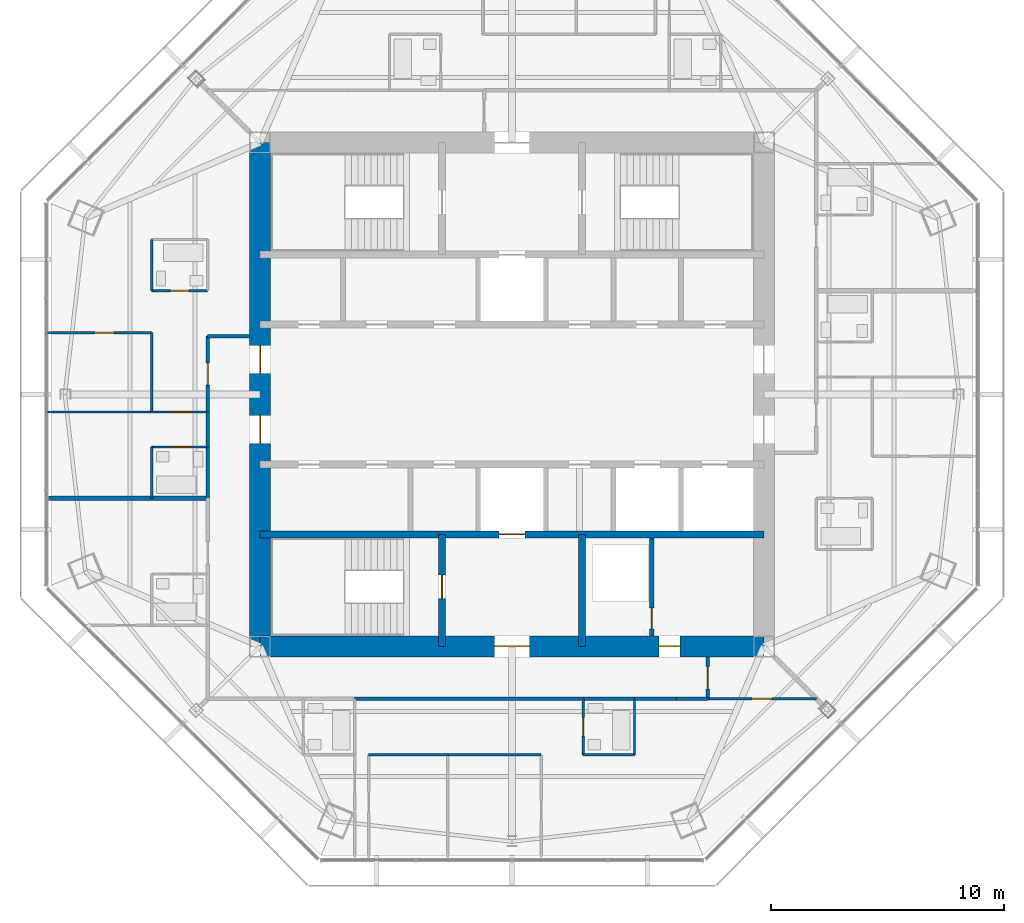
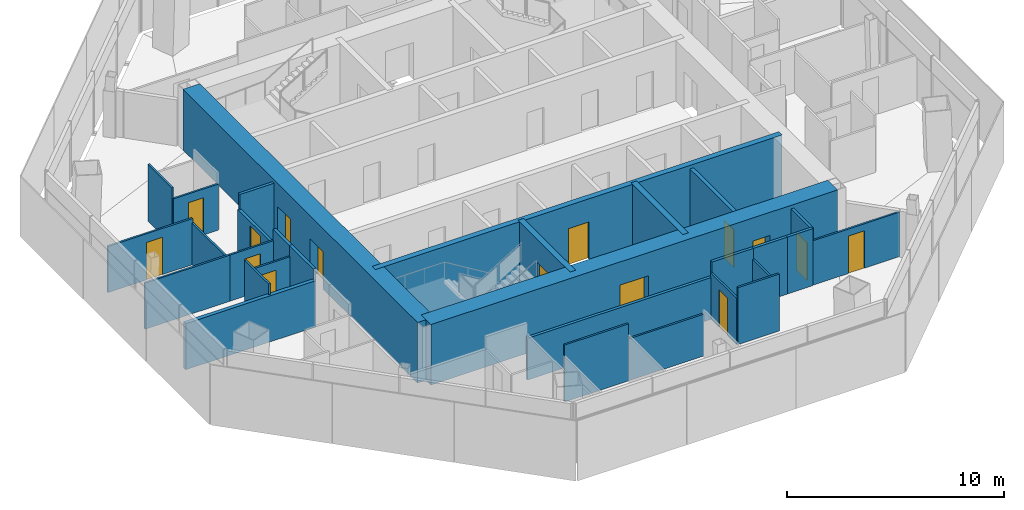
# One storey, part 9 of 14: 30 walls, 15 doors, 15 openings.
"""IFC4 building model written with IfcOpenShell, lengths in metres."""

import ifcopenshell
import ifcopenshell.guid

model = None  # the IFC model being written
_history = None  # IfcOwnerHistory: only IFC2X3 demands one
_inside = {}  # id of a spatial element -> (the spatial element, [elements in it])
_under = {}  # id of a project, library or spatial element -> (it, [spatial elements below it])
_declared = {}  # id of a project -> (the project, [libraries it declares])
_typed = {}  # id of a type object -> (the type object, [elements of that type])
_made_of = {}  # id of a material, layer set ... -> (it, [elements and type objects made of it])


def new_model(schema):
    """Start an empty IFC model of exactly this schema.

    Asked for "IFC4X3", IfcOpenShell would pick the latest addendum, in which some entities
    have other attributes; the version numbers below select the first issue.
    IFC2X3 requires an IfcOwnerHistory on every rooted entity: one is made here for all.
    """
    global model, _history
    if schema == "IFC4X3":
        model = ifcopenshell.file(schema_version=(4, 3, 0, 0))
    else:
        model = ifcopenshell.file(schema=schema)
    _inside.clear()
    _under.clear()
    _declared.clear()
    _typed.clear()
    _made_of.clear()
    _history = None
    if model.schema == "IFC2X3":
        org = make("IfcOrganization", Name="unknown")
        user = make(
            "IfcPersonAndOrganization",
            ThePerson=make("IfcPerson", FamilyName="unknown"),
            TheOrganization=org,
        )
        app = make(
            "IfcApplication",
            ApplicationDeveloper=org,
            Version="unknown",
            ApplicationFullName="unknown",
            ApplicationIdentifier="unknown",
        )
        _history = make(
            "IfcOwnerHistory",
            OwningUser=user,
            OwningApplication=app,
            ChangeAction="ADDED",
            CreationDate=0,
        )
    return model


def make(cls, **values):
    """One entity of the class cls with the attributes given. An attribute that is None is left unset."""
    return model.create_entity(
        cls, **{name: value for name, value in values.items() if value is not None}
    )


def rooted(cls, **values):
    """An entity with a GlobalId (a new one), such as an element, a storey or a relation."""
    return make(cls, GlobalId=ifcopenshell.guid.new(), OwnerHistory=_history, **values)


def si_unit(unit_type, name, prefix=None):
    """IfcSIUnit, for example si_unit("LENGTHUNIT", "METRE", prefix="MILLI")."""
    return make("IfcSIUnit", UnitType=unit_type, Prefix=prefix, Name=name)


def assignment(units):
    """IfcUnitAssignment: the units of a project."""
    return None if units is None else make("IfcUnitAssignment", Units=units)


def point(xyz):
    """IfcCartesianPoint."""
    return None if xyz is None else make("IfcCartesianPoint", Coordinates=xyz)


def direction(xyz):
    """IfcDirection."""
    return None if xyz is None else make("IfcDirection", DirectionRatios=xyz)


def frame(location, z_axis=None, x_axis=None):
    """IfcAxis2Placement3D, a coordinate frame: its origin and axes. An axis left out is left unset."""
    return make(
        "IfcAxis2Placement3D",
        Location=point(location),
        Axis=direction(z_axis),
        RefDirection=direction(x_axis),
    )


def frame_2d(location, x_axis=None):
    """IfcAxis2Placement2D, a coordinate frame in the plane: its origin and x axis."""
    return make(
        "IfcAxis2Placement2D", Location=point(location), RefDirection=direction(x_axis)
    )


def origin():
    """The frame at (0, 0, 0) with its axes left unset."""
    return frame((0.0, 0.0, 0.0))


def place(relative_to, where):
    """IfcLocalPlacement: puts the frame where relative to a parent placement (None: the world)."""
    return make(
        "IfcLocalPlacement", PlacementRelTo=relative_to, RelativePlacement=where
    )


def context(
    kind, dimensions, precision=None, world=None, true_north=None, identifier=None
):
    """IfcGeometricRepresentationContext, for example the 3D "Model" context."""
    return make(
        "IfcGeometricRepresentationContext",
        ContextIdentifier=identifier,
        ContextType=kind,
        CoordinateSpaceDimension=dimensions,
        Precision=precision,
        WorldCoordinateSystem=world,
        TrueNorth=true_north,
    )


def subcontext(parent, identifier, kind, view, scale=None):
    """IfcGeometricRepresentationSubContext, for example "Body" below "Model"."""
    return make(
        "IfcGeometricRepresentationSubContext",
        ContextIdentifier=identifier,
        ContextType=kind,
        ParentContext=parent,
        TargetScale=scale,
        TargetView=view,
    )


def project(units=None, contexts=None):
    """IfcProject with its units and contexts."""
    return rooted(
        "IfcProject",
        Name="project",
        RepresentationContexts=contexts,
        UnitsInContext=assignment(units),
    )


def spatial(cls, under=None, at=None, **own):
    """A site, building, storey or space (cls), placed at a placement, below another one or the project."""
    s = rooted(cls, ObjectPlacement=at, **own)
    if under is not None:
        _under.setdefault(under.id(), (under, []))[1].append(s)
    return s


def profile(cls, at=None, kind="AREA", **sizes):
    """A parametric profile (cls). Its sizes go by their IFC names, for example OverallWidth=200.0."""
    return make(cls, ProfileType=kind, Position=at, **sizes)


def rectangle(**sizes):
    """IfcRectangleProfileDef."""
    return profile("IfcRectangleProfileDef", **sizes)


def extrude(swept, where, along, depth):
    """IfcExtrudedAreaSolid: the profile swept, set in the frame where, extruded along a direction by depth."""
    return make(
        "IfcExtrudedAreaSolid",
        SweptArea=swept,
        Position=where,
        ExtrudedDirection=direction(along),
        Depth=depth,
    )


def shape(context_of_items, identifier, shape_type, items):
    """IfcShapeRepresentation: the items that make up one representation, for example the "Body"."""
    return make(
        "IfcShapeRepresentation",
        ContextOfItems=context_of_items,
        RepresentationIdentifier=identifier,
        RepresentationType=shape_type,
        Items=items,
    )


def material(Name=None, Category=None):
    """IfcMaterial."""
    return make("IfcMaterial", Name=Name, Category=Category)


def layer(
    of_material, thickness, ventilated=None, Name=None, Category=None, Priority=None
):
    """IfcMaterialLayer: one layer of a wall or slab, of a material (None: an air gap)."""
    return make(
        "IfcMaterialLayer",
        Material=of_material,
        LayerThickness=thickness,
        IsVentilated=ventilated,
        Name=Name,
        Category=Category,
        Priority=Priority,
    )


def layer_set(layers, Name=None):
    """IfcMaterialLayerSet."""
    return make("IfcMaterialLayerSet", MaterialLayers=layers, LayerSetName=Name)


def made_of(thing, what):
    """Note that an element or type object is made of a material, layer set ...; save() writes the relation."""
    if what is not None:
        _made_of.setdefault(what.id(), (what, []))[1].append(thing)
    return thing


def type_object(cls, material=None, **own):
    """A type object (cls), such as IfcWallType, which elements share."""
    return made_of(rooted(cls, **own), material)


def element(
    cls,
    number,
    at=None,
    inside=None,
    cuts=None,
    type_object=None,
    material=None,
    context=None,
    identifier="Body",
    shape_type=None,
    held_by="IfcProductDefinitionShape",
    body=None,
    shapes=None,
    **own,
):
    """One element of the class cls, such as IfcWall. Its Tag is "e" and its number.

    at: its placement. inside: the storey or other place that contains it. cuts: it is an
    opening in that element (IfcRelVoidsElement). A single representation is given by context,
    identifier, shape_type and body (its items); several are given by shapes. held_by: the class
    of the entity that holds the representations. save() writes the other relations.
    """
    e = rooted(cls, Tag="e%d" % number, ObjectPlacement=at, **own)
    if body is not None:
        shapes = [shape(context, identifier, shape_type, body)]
    if shapes is not None:
        e.Representation = make(held_by, Representations=shapes)
    if inside is not None:
        _inside.setdefault(inside.id(), (inside, []))[1].append(e)
    if cuts is not None:
        rooted(
            "IfcRelVoidsElement", RelatingBuildingElement=cuts, RelatedOpeningElement=e
        )
    if type_object is not None:
        _typed.setdefault(type_object.id(), (type_object, []))[1].append(e)
    return made_of(e, material)


def fill(opening, filler):
    """IfcRelFillsElement: the door or window that sits in an opening."""
    return rooted(
        "IfcRelFillsElement",
        RelatingOpeningElement=opening,
        RelatedBuildingElement=filler,
    )


def aggregate(whole, parts):
    """IfcRelAggregates: a whole, such as a stair, and the parts it consists of."""
    return rooted("IfcRelAggregates", RelatingObject=whole, RelatedObjects=parts)


def save(model, path):
    """Write the relations noted so far, then the file.

    IfcRelAggregates (storeys below a building ...), IfcRelContainedInSpatialStructure (elements
    in a storey), IfcRelDefinesByType, IfcRelAssociatesMaterial and IfcRelDeclares: one each for
    every whole, place, type object, material and project.
    """
    for whole, parts in _under.values():
        aggregate(whole, parts)
    for where, things in _inside.values():
        rooted(
            "IfcRelContainedInSpatialStructure",
            RelatedElements=things,
            RelatingStructure=where,
        )
    for kind, things in _typed.values():
        rooted("IfcRelDefinesByType", RelatedObjects=things, RelatingType=kind)
    for what, things in _made_of.values():
        rooted("IfcRelAssociatesMaterial", RelatedObjects=things, RelatingMaterial=what)
    for by, libraries in _declared.values():
        rooted("IfcRelDeclares", RelatingContext=by, RelatedDefinitions=libraries)
    model.write(path)


model = new_model("IFC4")

# Units and contexts
model_context = context("Model", 3, precision=1e-05, world=origin(), true_north=direction((0.0, 1.0)))
body_context = subcontext(model_context, "Body", "Model", "MODEL_VIEW")
ifc_project = project(units=[si_unit("LENGTHUNIT", "METRE"), si_unit("AREAUNIT", "SQUARE_METRE"), si_unit("VOLUMEUNIT", "CUBIC_METRE"), si_unit("PLANEANGLEUNIT", "RADIAN"), si_unit("MASSUNIT", "GRAM", prefix="KILO")], contexts=[model_context])

# Site, building, storey
site_placement = place(None, origin())
site = spatial("IfcSite", under=ifc_project, at=site_placement, CompositionType="ELEMENT")
building_placement = place(site_placement, origin())
building = spatial("IfcBuilding", under=site, at=building_placement, Name="Mashrafa Tower", CompositionType="ELEMENT")
storey_placement = place(building_placement, frame((0.0, 0.0, 284.39990234375)))
storey = spatial("IfcBuildingStorey", under=building, at=storey_placement, Name="L69", CompositionType="ELEMENT", Elevation=284.39990234375)

# Wall
ifc_material_1 = material(Name="Gypsum board on steel studs", Category="steel")
ifc_layer_1 = layer(ifc_material_1, 0.199951171875)
ifc_layer_set_1 = layer_set([ifc_layer_1], Name="Acoustic partition 200 1 hr")
wall_type_1 = type_object("IfcWallType", Name="Acoustic partition 200 1 hr", PredefinedType="PARTITIONING", material=ifc_layer_set_1)
wall_1_placement = place(storey_placement, frame((-13.050048828125, -4.449951171875, 0.0), z_axis=(0.0, 0.0, 1.0), x_axis=(-1.0, 0.0, 0.0)))
element("IfcWall", 1, at=wall_1_placement, inside=storey, type_object=wall_type_1, Name="Acoustic wall L69-077", PredefinedType="PARTITIONING", context=body_context, shape_type="SweptSolid", body=[
    extrude(rectangle(XDim=6.9013671875, YDim=0.199951171875, at=frame_2d((3.45068359375, 0.0))), origin(), (0.0, 0.0, 1.0), 2.590576171875),
])

# Wall, opening, door
ifc_material_2 = material(Name="Concrete masonry unit", Category="masonry")
ifc_layer_2 = layer(ifc_material_2, 0.199951171875)
ifc_layer_set_2 = layer_set([ifc_layer_2], Name="Blockwork wall 200 2 hr")
wall_type_2 = type_object("IfcWallType", Name="Blockwork wall 200 2 hr", PredefinedType="PARTITIONING", material=ifc_layer_set_2)
wall_2_placement = place(storey_placement, frame((6.0, -10.35009765625, 0.0), z_axis=(0.0, 0.0, 1.0), x_axis=(0.0, 1.0, 0.0)))
wall_2 = element("IfcWall", 2, at=wall_2_placement, inside=storey, type_object=wall_type_2, Name="Riser enclosure wall L69", PredefinedType="PARTITIONING", context=body_context, shape_type="SweptSolid", body=[
    extrude(rectangle(XDim=4.2001953125, YDim=0.199951171875, at=frame_2d((2.10009765625, 0.0))), origin(), (0.0, 0.0, 1.0), 3.2001953125),
])
opening_1_placement = place(wall_2_placement, frame((0.300048828125, 0.0, 0.0)))
opening_1 = element("IfcOpeningElement", 3, at=opening_1_placement, cuts=wall_2, Name="Opening 69.041", PredefinedType="OPENING", context=body_context, shape_type="SweptSolid", body=[
    extrude(rectangle(XDim=0.89990234375, YDim=2.10009765625, at=frame_2d((0.449951171875, 1.050048828125))), frame((0.0, 0.10986328125, 0.0), z_axis=(0.0, -1.0, 0.0), x_axis=(1.0, 0.0, 0.0)), (0.0, 0.0, 1.0), 0.219970703125),
])
ifc_material_3 = material(Name="Steel door", Category="steel")
door_type_1 = type_object("IfcDoorType", Name="Service door 900 x 2100 90 min", OperationType="USERDEFINED", PredefinedType="DOOR", material=ifc_material_3)
door_1_placement = place(opening_1_placement, origin())
door_1 = element("IfcDoor", 4, at=door_1_placement, inside=storey, type_object=door_type_1, Name="Riser door L69", OperationType="SINGLE_SWING_LEFT", OverallHeight=2.10009765625, OverallWidth=0.89990234375, PredefinedType="DOOR", context=body_context, shape_type="SweptSolid", body=[
    extrude(rectangle(XDim=0.89990234375, YDim=2.10009765625, at=frame_2d((0.449951171875, 1.050048828125))), frame((0.0, 0.02490234375, 0.0), z_axis=(0.0, -1.0, 0.0), x_axis=(1.0, 0.0, 0.0)), (0.0, 0.0, 1.0), 0.050048828125),
])
fill(opening_1, door_1)

ifc_material_4 = material(Name="Concrete C50/60", Category="concrete")
ifc_layer_3 = layer(ifc_material_4, 0.300048828125)
ifc_layer_set_3 = layer_set([ifc_layer_3], Name="Core wall 300 C50/60")
wall_type_3 = type_object("IfcWallType", Name="Core wall 300 C50/60", PredefinedType="SOLIDWALL", material=ifc_layer_set_3)
wall_3_placement = place(storey_placement, frame((-10.800048828125, -6.0, 0.0), z_axis=(0.0, 0.0, 1.0), x_axis=(1.0, 0.0, 0.0)))
wall_3 = element("IfcWall", 5, at=wall_3_placement, inside=storey, type_object=wall_type_3, Name="Core wall CB-S L69", PredefinedType="SOLIDWALL", context=body_context, shape_type="SweptSolid", body=[
    extrude(rectangle(XDim=21.60009765625, YDim=0.300048828125, at=frame_2d((10.800048828125, 0.0))), origin(), (0.0, 0.0, 1.0), 3.400146484375),
])
opening_2_placement = place(wall_3_placement, frame((10.25, 0.0, 0.0)))
opening_2 = element("IfcOpeningElement", 6, at=opening_2_placement, cuts=wall_3, Name="Opening 69.F2", PredefinedType="OPENING", context=body_context, shape_type="SweptSolid", body=[
    extrude(rectangle(XDim=1.10009765625, YDim=2.10009765625, at=frame_2d((0.550048828125, 1.050048828125))), frame((0.0, 0.159912109375, 0.0), z_axis=(0.0, -1.0, 0.0), x_axis=(1.0, 0.0, 0.0)), (0.0, 0.0, 1.0), 0.320068359375),
])
ifc_material_5 = material(Name="Steel door", Category="steel")
door_type_2 = type_object("IfcDoorType", Name="Lift landing door 1100 x 2100 90 min", OperationType="DOUBLE_DOOR_SLIDING", PredefinedType="DOOR", material=ifc_material_5)
door_2_placement = place(opening_2_placement, origin())
door_2 = element("IfcDoor", 7, at=door_2_placement, inside=storey, type_object=door_type_2, Name="Lift landing door F2 L69", OperationType="DOUBLE_DOOR_SLIDING", OverallHeight=2.10009765625, OverallWidth=1.10009765625, PredefinedType="DOOR", context=body_context, shape_type="SweptSolid", body=[
    extrude(rectangle(XDim=1.10009765625, YDim=2.10009765625, at=frame_2d((0.550048828125, 1.050048828125))), frame((0.0, 0.02490234375, 0.0), z_axis=(0.0, -1.0, 0.0), x_axis=(1.0, 0.0, 0.0)), (0.0, 0.0, 1.0), 0.050048828125),
])
fill(opening_2, door_2)

wall_4_placement = place(storey_placement, frame((-3.0, -6.0, 0.0), z_axis=(0.0, 0.0, 1.0), x_axis=(0.0, -1.0, 0.0)))
wall_4 = element("IfcWall", 8, at=wall_4_placement, inside=storey, type_object=wall_type_3, Name="Core wall CX-SW L69", PredefinedType="SOLIDWALL", context=body_context, shape_type="SweptSolid", body=[
    extrude(rectangle(XDim=4.800048828125, YDim=0.300048828125, at=frame_2d((2.39990234375, 0.0))), origin(), (0.0, 0.0, 1.0), 3.400146484375),
])
opening_3_placement = place(wall_4_placement, frame((1.75, 0.0, 0.0)))
opening_3 = element("IfcOpeningElement", 9, at=opening_3_placement, cuts=wall_4, Name="Opening 69.039", PredefinedType="OPENING", context=body_context, shape_type="SweptSolid", body=[
    extrude(rectangle(XDim=1.0, YDim=2.10009765625, at=frame_2d((0.5, 1.050048828125))), frame((0.0, 0.159912109375, 0.0), z_axis=(0.0, -1.0, 0.0), x_axis=(1.0, 0.0, 0.0)), (0.0, 0.0, 1.0), 0.320068359375),
])
ifc_material_6 = material(Name="Steel door", Category="steel")
door_type_3 = type_object("IfcDoorType", Name="Stair door 1000 x 2100 90 min", OperationType="USERDEFINED", PredefinedType="DOOR", material=ifc_material_6)
door_3_placement = place(opening_3_placement, frame((1.0, 0.0, 0.0), z_axis=(0.0, 0.0, 1.0), x_axis=(-1.0, 0.0, 0.0)))
door_3 = element("IfcDoor", 10, at=door_3_placement, inside=storey, type_object=door_type_3, Name="Stair S3 door L69", OperationType="SINGLE_SWING_RIGHT", OverallHeight=2.10009765625, OverallWidth=1.0, PredefinedType="DOOR", context=body_context, shape_type="SweptSolid", body=[
    extrude(rectangle(XDim=1.0, YDim=2.10009765625, at=frame_2d((0.5, 1.050048828125))), frame((0.0, 0.02490234375, 0.0), z_axis=(0.0, -1.0, 0.0), x_axis=(1.0, 0.0, 0.0)), (0.0, 0.0, 1.0), 0.050048828125),
])
fill(opening_3, door_3)

# Wall
wall_5_placement = place(storey_placement, frame((3.0, -6.0, 0.0), z_axis=(0.0, 0.0, 1.0), x_axis=(0.0, -1.0, 0.0)))
element("IfcWall", 11, at=wall_5_placement, inside=storey, type_object=wall_type_3, Name="Core wall CX-SE L69", PredefinedType="SOLIDWALL", context=body_context, shape_type="SweptSolid", body=[
    extrude(rectangle(XDim=4.800048828125, YDim=0.300048828125, at=frame_2d((2.39990234375, 0.0))), origin(), (0.0, 0.0, 1.0), 3.400146484375),
])

# Wall, openings, doors
ifc_material_7 = material(Name="Concrete C50/60", Category="concrete")
ifc_layer_4 = layer(ifc_material_7, 0.89990234375)
ifc_layer_set_4 = layer_set([ifc_layer_4], Name="Core wall 900 C50/60")
wall_type_4 = type_object("IfcWallType", Name="Core wall 900 C50/60", PredefinedType="SOLIDWALL", material=ifc_layer_set_4)
wall_6_placement = place(storey_placement, frame((-10.800048828125, -10.800048828125, 0.0), z_axis=(0.0, 0.0, 1.0), x_axis=(1.0, 0.0, 0.0)))
wall_6 = element("IfcWall", 12, at=wall_6_placement, inside=storey, type_object=wall_type_4, Name="Core wall CW-S L69", PredefinedType="SOLIDWALL", context=body_context, shape_type="SweptSolid", body=[
    extrude(rectangle(XDim=21.60009765625, YDim=0.89990234375, at=frame_2d((10.800048828125, 0.0))), origin(), (0.0, 0.0, 1.0), 3.400146484375),
])
opening_4_placement = place(wall_6_placement, frame((10.050048828125, 0.0, 0.0)))
opening_4 = element("IfcOpeningElement", 13, at=opening_4_placement, cuts=wall_6, Name="Opening 69.036", PredefinedType="OPENING", context=body_context, shape_type="SweptSolid", body=[
    extrude(rectangle(XDim=1.5, YDim=2.10009765625, at=frame_2d((0.75, 1.050048828125))), frame((0.0, 0.4599609375, 0.0), z_axis=(0.0, -1.0, 0.0), x_axis=(1.0, 0.0, 0.0)), (0.0, 0.0, 1.0), 0.919921875),
])
opening_5_placement = place(wall_6_placement, frame((17.10009765625, 0.0, 0.0)))
opening_5 = element("IfcOpeningElement", 14, at=opening_5_placement, cuts=wall_6, Name="Opening 69.040", PredefinedType="OPENING", context=body_context, shape_type="SweptSolid", body=[
    extrude(rectangle(XDim=0.89990234375, YDim=2.10009765625, at=frame_2d((0.449951171875, 1.050048828125))), frame((0.0, 0.4599609375, 0.0), z_axis=(0.0, -1.0, 0.0), x_axis=(1.0, 0.0, 0.0)), (0.0, 0.0, 1.0), 0.919921875),
])
ifc_material_8 = material(Name="Steel door", Category="steel")
door_type_4 = type_object("IfcDoorType", Name="Lobby door pair 1500 x 2100 90 min", OperationType="DOUBLE_DOOR_SINGLE_SWING", PredefinedType="DOOR", material=ifc_material_8)
door_4_placement = place(opening_4_placement, origin())
door_4 = element("IfcDoor", 15, at=door_4_placement, inside=storey, type_object=door_type_4, Name="Fire-fighting lobby F2 door L69", OperationType="DOUBLE_DOOR_SINGLE_SWING", OverallHeight=2.10009765625, OverallWidth=1.5, PredefinedType="DOOR", context=body_context, shape_type="SweptSolid", body=[
    extrude(rectangle(XDim=1.5, YDim=2.10009765625, at=frame_2d((0.75, 1.050048828125))), frame((0.0, 0.02490234375, 0.0), z_axis=(0.0, -1.0, 0.0), x_axis=(1.0, 0.0, 0.0)), (0.0, 0.0, 1.0), 0.050048828125),
])
fill(opening_4, door_4)
door_5_placement = place(opening_5_placement, origin())
door_5 = element("IfcDoor", 16, at=door_5_placement, inside=storey, type_object=door_type_1, Name="Electrical Room L69 door", OperationType="SINGLE_SWING_LEFT", OverallHeight=2.10009765625, OverallWidth=0.89990234375, PredefinedType="DOOR", context=body_context, shape_type="SweptSolid", body=[
    extrude(rectangle(XDim=0.89990234375, YDim=2.10009765625, at=frame_2d((0.449951171875, 1.050048828125))), frame((0.0, 0.02490234375, 0.0), z_axis=(0.0, -1.0, 0.0), x_axis=(1.0, 0.0, 0.0)), (0.0, 0.0, 1.0), 0.050048828125),
])
fill(opening_5, door_5)

wall_7_placement = place(storey_placement, frame((-10.800048828125, 10.800048828125, 0.0), z_axis=(0.0, 0.0, 1.0), x_axis=(0.0, -1.0, 0.0)))
wall_7 = element("IfcWall", 17, at=wall_7_placement, inside=storey, type_object=wall_type_4, Name="Core wall CW-W L69", PredefinedType="SOLIDWALL", context=body_context, shape_type="SweptSolid", body=[
    extrude(rectangle(XDim=21.60009765625, YDim=0.89990234375, at=frame_2d((10.800048828125, 0.0))), origin(), (0.0, 0.0, 1.0), 3.400146484375),
])
opening_6_placement = place(wall_7_placement, frame((8.699951171875, 0.0, 0.0)))
opening_6 = element("IfcOpeningElement", 18, at=opening_6_placement, cuts=wall_7, Name="Opening 69.032", PredefinedType="OPENING", context=body_context, shape_type="SweptSolid", body=[
    extrude(rectangle(XDim=1.199951171875, YDim=2.10009765625, at=frame_2d((0.60009765625, 1.050048828125))), frame((0.0, 0.4599609375, 0.0), z_axis=(0.0, -1.0, 0.0), x_axis=(1.0, 0.0, 0.0)), (0.0, 0.0, 1.0), 0.919921875),
])
opening_7_placement = place(wall_7_placement, frame((11.699951171875, 0.0, 0.0)))
opening_7 = element("IfcOpeningElement", 19, at=opening_7_placement, cuts=wall_7, Name="Opening 69.034", PredefinedType="OPENING", context=body_context, shape_type="SweptSolid", body=[
    extrude(rectangle(XDim=1.199951171875, YDim=2.10009765625, at=frame_2d((0.60009765625, 1.050048828125))), frame((0.0, 0.4599609375, 0.0), z_axis=(0.0, -1.0, 0.0), x_axis=(1.0, 0.0, 0.0)), (0.0, 0.0, 1.0), 0.919921875),
])
ifc_material_9 = material(Name="Steel door", Category="steel")
door_type_5 = type_object("IfcDoorType", Name="Lift hall door 1200 x 2100 90 min", OperationType="USERDEFINED", PredefinedType="DOOR", material=ifc_material_9)
door_6_placement = place(opening_6_placement, frame((1.199951171875, 0.0, 0.0), z_axis=(0.0, 0.0, 1.0), x_axis=(-1.0, 0.0, 0.0)))
door_6 = element("IfcDoor", 20, at=door_6_placement, inside=storey, type_object=door_type_5, Name="Lift hall door west L69", OperationType="SINGLE_SWING_RIGHT", OverallHeight=2.10009765625, OverallWidth=1.199951171875, PredefinedType="DOOR", context=body_context, shape_type="SweptSolid", body=[
    extrude(rectangle(XDim=1.199951171875, YDim=2.10009765625, at=frame_2d((0.60009765625, 1.050048828125))), frame((0.0, 0.02490234375, 0.0), z_axis=(0.0, -1.0, 0.0), x_axis=(1.0, 0.0, 0.0)), (0.0, 0.0, 1.0), 0.050048828125),
])
fill(opening_6, door_6)
door_7_placement = place(opening_7_placement, frame((1.199951171875, 0.0, 0.0), z_axis=(0.0, 0.0, 1.0), x_axis=(-1.0, 0.0, 0.0)))
door_7 = element("IfcDoor", 21, at=door_7_placement, inside=storey, type_object=door_type_5, Name="Lift hall door west L69", OperationType="SINGLE_SWING_RIGHT", OverallHeight=2.10009765625, OverallWidth=1.199951171875, PredefinedType="DOOR", context=body_context, shape_type="SweptSolid", body=[
    extrude(rectangle(XDim=1.199951171875, YDim=2.10009765625, at=frame_2d((0.60009765625, 1.050048828125))), frame((0.0, 0.02490234375, 0.0), z_axis=(0.0, -1.0, 0.0), x_axis=(1.0, 0.0, 0.0)), (0.0, 0.0, 1.0), 0.050048828125),
])
fill(opening_7, door_7)

# Walls
ifc_material_10 = material(Name="Gypsum board on steel studs", Category="steel")
ifc_layer_5 = layer(ifc_material_10, 0.14990234375)
ifc_layer_set_5 = layer_set([ifc_layer_5], Name="Corridor partition 150 1 hr")
wall_type_5 = type_object("IfcWallType", Name="Corridor partition 150 1 hr", PredefinedType="PARTITIONING", material=ifc_layer_set_5)
wall_8_placement = place(storey_placement, frame((-13.050048828125, -2.2490234375, 0.0), z_axis=(0.0, 0.0, 1.0), x_axis=(0.0, -1.0, 0.0)))
element("IfcWall", 22, at=wall_8_placement, inside=storey, type_object=wall_type_5, Name="Corridor wall L69-013", PredefinedType="PARTITIONING", context=body_context, shape_type="SweptSolid", body=[
    extrude(rectangle(XDim=2.201904296875, YDim=0.14990234375, at=frame_2d((1.10107421875, 0.0))), origin(), (0.0, 0.0, 1.0), 3.2001953125),
])
wall_9_placement = place(storey_placement, frame((-13.050048828125, -0.7490234375, 0.0), z_axis=(0.0, 0.0, 1.0), x_axis=(0.0, -1.0, 0.0)))
element("IfcWall", 23, at=wall_9_placement, inside=storey, type_object=wall_type_5, Name="Corridor wall L69-014", PredefinedType="PARTITIONING", context=body_context, shape_type="SweptSolid", body=[
    extrude(rectangle(XDim=1.501953125, YDim=0.14990234375, at=frame_2d((0.7509765625, 0.0))), origin(), (0.0, 0.0, 1.0), 3.2001953125),
])
wall_10_placement = place(storey_placement, frame((-11.25, 2.5, 0.0), z_axis=(0.0, 0.0, 1.0), x_axis=(-1.0, 0.0, 0.0)))
element("IfcWall", 24, at=wall_10_placement, inside=storey, type_object=wall_type_5, Name="Corridor wall L69-015", PredefinedType="PARTITIONING", context=body_context, shape_type="SweptSolid", body=[
    extrude(rectangle(XDim=1.800048828125, YDim=0.14990234375, at=frame_2d((0.89990234375, 0.0))), origin(), (0.0, 0.0, 1.0), 3.2001953125),
])

# Wall, opening, door
wall_11_placement = place(storey_placement, frame((-13.050048828125, 2.5, 0.0), z_axis=(0.0, 0.0, 1.0), x_axis=(0.0, -1.0, 0.0)))
wall_11 = element("IfcWall", 25, at=wall_11_placement, inside=storey, type_object=wall_type_5, Name="Corridor wall L69-016", PredefinedType="PARTITIONING", context=body_context, shape_type="SweptSolid", body=[
    extrude(rectangle(XDim=3.2509765625, YDim=0.14990234375, at=frame_2d((1.62548828125, 0.0))), origin(), (0.0, 0.0, 1.0), 2.349365234375),
])
opening_8_placement = place(wall_11_placement, frame((1.150390625, 0.0, 0.0)))
opening_8 = element("IfcOpeningElement", 26, at=opening_8_placement, cuts=wall_11, Name="Opening 69.020", PredefinedType="OPENING", context=body_context, shape_type="SweptSolid", body=[
    extrude(rectangle(XDim=0.949951171875, YDim=2.10009765625, at=frame_2d((0.47509765625, 1.050048828125))), frame((0.0, 0.0849609375, 0.0), z_axis=(0.0, -1.0, 0.0), x_axis=(1.0, 0.0, 0.0)), (0.0, 0.0, 1.0), 0.169921875),
])
ifc_material_11 = material(Name="Steel door", Category="steel")
door_type_6 = type_object("IfcDoorType", Name="Residence entrance door 950 x 2100 20 min", OperationType="USERDEFINED", PredefinedType="DOOR", material=ifc_material_11)
door_8_placement = place(opening_8_placement, frame((0.949951171875, 0.0, 0.0), z_axis=(0.0, 0.0, 1.0), x_axis=(-1.0, 0.0, 0.0)))
door_8 = element("IfcDoor", 27, at=door_8_placement, inside=storey, type_object=door_type_6, Name="Apartment 6904 Living Room door", OperationType="SINGLE_SWING_LEFT", OverallHeight=2.10009765625, OverallWidth=0.949951171875, PredefinedType="DOOR", context=body_context, shape_type="SweptSolid", body=[
    extrude(rectangle(XDim=0.949951171875, YDim=2.10009765625, at=frame_2d((0.47509765625, 1.050048828125))), frame((0.0, 0.02490234375, 0.0), z_axis=(0.0, -1.0, 0.0), x_axis=(1.0, 0.0, 0.0)), (0.0, 0.0, 1.0), 0.050048828125),
])
fill(opening_8, door_8)

# Walls
wall_12_placement = place(storey_placement, frame((5.2490234375, -13.050048828125, 0.0), z_axis=(0.0, 0.0, 1.0), x_axis=(1.0, 0.0, 0.0)))
element("IfcWall", 28, at=wall_12_placement, inside=storey, type_object=wall_type_5, Name="Corridor wall L69-021", PredefinedType="PARTITIONING", context=body_context, shape_type="SweptSolid", body=[
    extrude(rectangle(XDim=1.802001953125, YDim=0.14990234375, at=frame_2d((0.90087890625, 0.0))), origin(), (0.0, 0.0, 1.0), 3.2001953125),
])
wall_13_placement = place(storey_placement, frame((3.049072265625, -13.050048828125, 0.0), z_axis=(0.0, 0.0, 1.0), x_axis=(1.0, 0.0, 0.0)))
element("IfcWall", 29, at=wall_13_placement, inside=storey, type_object=wall_type_5, Name="Corridor wall L69-022", PredefinedType="PARTITIONING", context=body_context, shape_type="SweptSolid", body=[
    extrude(rectangle(XDim=2.201904296875, YDim=0.14990234375, at=frame_2d((1.10107421875, 0.0))), origin(), (0.0, 0.0, 1.0), 3.2001953125),
])
wall_14_placement = place(storey_placement, frame((-6.7509765625, -13.050048828125, 0.0), z_axis=(0.0, 0.0, 1.0), x_axis=(1.0, 0.0, 0.0)))
element("IfcWall", 30, at=wall_14_placement, inside=storey, type_object=wall_type_5, Name="Corridor wall L69-025", PredefinedType="PARTITIONING", context=body_context, shape_type="SweptSolid", body=[
    extrude(rectangle(XDim=9.802001953125, YDim=0.14990234375, at=frame_2d((4.90087890625, 0.0))), origin(), (0.0, 0.0, 1.0), 2.349365234375),
])
wall_15_placement = place(storey_placement, frame((7.049072265625, -13.050048828125, 0.0), z_axis=(0.0, 0.0, 1.0), x_axis=(1.0, 0.0, 0.0)))
element("IfcWall", 31, at=wall_15_placement, inside=storey, type_object=wall_type_5, Name="Corridor wall L69-026", PredefinedType="PARTITIONING", context=body_context, shape_type="SweptSolid", body=[
    extrude(rectangle(XDim=1.350830078125, YDim=0.14990234375, at=frame_2d((0.67529296875, 0.0))), origin(), (0.0, 0.0, 1.0), 3.2001953125),
])

# Wall, opening, door
wall_16_placement = place(storey_placement, frame((8.39990234375, -13.050048828125, 0.0), z_axis=(0.0, 0.0, 1.0), x_axis=(0.0, 1.0, 0.0)))
wall_16 = element("IfcWall", 32, at=wall_16_placement, inside=storey, type_object=wall_type_5, Name="Corridor wall L69-027", PredefinedType="PARTITIONING", context=body_context, shape_type="SweptSolid", body=[
    extrude(rectangle(XDim=1.800048828125, YDim=0.14990234375, at=frame_2d((0.89990234375, 0.0))), origin(), (0.0, 0.0, 1.0), 3.2001953125),
])
opening_9_placement = place(wall_16_placement, frame((0.425048828125, 0.0, 0.0)))
opening_9 = element("IfcOpeningElement", 33, at=opening_9_placement, cuts=wall_16, Name="Opening 69.029", PredefinedType="OPENING", context=body_context, shape_type="SweptSolid", body=[
    extrude(rectangle(XDim=0.949951171875, YDim=2.10009765625, at=frame_2d((0.47509765625, 1.050048828125))), frame((0.0, 0.0849609375, 0.0), z_axis=(0.0, -1.0, 0.0), x_axis=(1.0, 0.0, 0.0)), (0.0, 0.0, 1.0), 0.169921875),
])
door_9_placement = place(opening_9_placement, origin())
door_9 = element("IfcDoor", 34, at=door_9_placement, inside=storey, type_object=door_type_6, Name="Apartment 6906 Entrance Hall door", OperationType="SINGLE_SWING_LEFT", OverallHeight=2.10009765625, OverallWidth=0.949951171875, PredefinedType="DOOR", context=body_context, shape_type="SweptSolid", body=[
    extrude(rectangle(XDim=0.949951171875, YDim=2.10009765625, at=frame_2d((0.47509765625, 1.050048828125))), frame((0.0, 0.02490234375, 0.0), z_axis=(0.0, -1.0, 0.0), x_axis=(1.0, 0.0, 0.0)), (0.0, 0.0, 1.0), 0.050048828125),
])
fill(opening_9, door_9)

# Walls
ifc_material_12 = material(Name="Gypsum board on steel studs", Category="steel")
ifc_layer_6 = layer(ifc_material_12, 0.10009765625)
ifc_layer_set_6 = layer_set([ifc_layer_6], Name="Partition 100")
wall_type_6 = type_object("IfcWallType", Name="Partition 100", PredefinedType="PARTITIONING", material=ifc_layer_set_6)
wall_17_placement = place(storey_placement, frame((-2.75, -15.449951171875, 0.0), z_axis=(0.0, 0.0, 1.0), x_axis=(-1.0, 0.0, 0.0)))
element("IfcWall", 35, at=wall_17_placement, inside=storey, type_object=wall_type_6, Name="Partition wall L69-032", PredefinedType="PARTITIONING", context=body_context, shape_type="SweptSolid", body=[
    extrude(rectangle(XDim=3.39990234375, YDim=0.10009765625, at=frame_2d((1.699951171875, 0.0))), origin(), (0.0, 0.0, 1.0), 3.2001953125),
])
wall_18_placement = place(storey_placement, frame((-15.449951171875, 6.64990234375, 0.0), z_axis=(0.0, 0.0, 1.0), x_axis=(0.0, -1.0, 0.0)))
element("IfcWall", 36, at=wall_18_placement, inside=storey, type_object=wall_type_6, Name="Partition wall L69-069", PredefinedType="PARTITIONING", context=body_context, shape_type="SweptSolid", body=[
    extrude(rectangle(XDim=2.199951171875, YDim=0.10009765625, at=frame_2d((1.10009765625, 0.0))), origin(), (0.0, 0.0, 1.0), 3.2001953125),
])

# Wall, opening, door
wall_19_placement = place(storey_placement, frame((-15.449951171875, 4.449951171875, 0.0), z_axis=(0.0, 0.0, 1.0), x_axis=(1.0, 0.0, 0.0)))
wall_19 = element("IfcWall", 37, at=wall_19_placement, inside=storey, type_object=wall_type_6, Name="Partition wall L69-070", PredefinedType="PARTITIONING", context=body_context, shape_type="SweptSolid", body=[
    extrude(rectangle(XDim=2.39990234375, YDim=0.10009765625, at=frame_2d((1.199951171875, 0.0))), origin(), (0.0, 0.0, 1.0), 2.590576171875),
])
opening_10_placement = place(wall_19_placement, frame((0.800048828125, 0.0, 0.0)))
opening_10 = element("IfcOpeningElement", 38, at=opening_10_placement, cuts=wall_19, Name="Opening 69.016", PredefinedType="OPENING", context=body_context, shape_type="SweptSolid", body=[
    extrude(rectangle(XDim=0.800048828125, YDim=2.10009765625, at=frame_2d((0.39990234375, 1.050048828125))), frame((0.0, 0.06005859375, 0.0), z_axis=(0.0, -1.0, 0.0), x_axis=(1.0, 0.0, 0.0)), (0.0, 0.0, 1.0), 0.1201171875),
])
ifc_material_13 = material(Name="Timber door", Category="wood")
door_type_7 = type_object("IfcDoorType", Name="Bathroom door 800 x 2100", OperationType="USERDEFINED", PredefinedType="DOOR", material=ifc_material_13)
door_10_placement = place(opening_10_placement, origin())
door_10 = element("IfcDoor", 39, at=door_10_placement, inside=storey, type_object=door_type_7, Name="Apartment 6904 Bathroom door", OperationType="SINGLE_SWING_RIGHT", OverallHeight=2.10009765625, OverallWidth=0.800048828125, PredefinedType="DOOR", context=body_context, shape_type="SweptSolid", body=[
    extrude(rectangle(XDim=0.800048828125, YDim=2.10009765625, at=frame_2d((0.39990234375, 1.050048828125))), frame((0.0, 0.02490234375, 0.0), z_axis=(0.0, -1.0, 0.0), x_axis=(1.0, 0.0, 0.0)), (0.0, 0.0, 1.0), 0.050048828125),
])
fill(opening_10, door_10)

# Walls
wall_20_placement = place(storey_placement, frame((-19.951416015625, -0.75, 0.0), z_axis=(0.0, 0.0, 1.0), x_axis=(1.0, 0.0, 0.0)))
element("IfcWall", 40, at=wall_20_placement, inside=storey, type_object=wall_type_6, Name="Partition wall L69-072", PredefinedType="PARTITIONING", context=body_context, shape_type="SweptSolid", body=[
    extrude(rectangle(XDim=4.50146484375, YDim=0.10009765625, at=frame_2d((2.250732421875, 0.0))), origin(), (0.0, 0.0, 1.0), 2.590576171875),
])
wall_21_placement = place(storey_placement, frame((-15.449951171875, -0.75, 0.0), z_axis=(0.0, 0.0, 1.0), x_axis=(0.0, 1.0, 0.0)))
element("IfcWall", 41, at=wall_21_placement, inside=storey, type_object=wall_type_6, Name="Partition wall L69-073", PredefinedType="PARTITIONING", context=body_context, shape_type="SweptSolid", body=[
    extrude(rectangle(XDim=3.39990234375, YDim=0.10009765625, at=frame_2d((1.699951171875, 0.0))), origin(), (0.0, 0.0, 1.0), 2.349365234375),
])

# Wall, opening, door
wall_22_placement = place(storey_placement, frame((-15.449951171875, 2.64990234375, 0.0), z_axis=(0.0, 0.0, 1.0), x_axis=(-1.0, 0.0, 0.0)))
wall_22 = element("IfcWall", 42, at=wall_22_placement, inside=storey, type_object=wall_type_6, Name="Partition wall L69-074", PredefinedType="PARTITIONING", context=body_context, shape_type="SweptSolid", body=[
    extrude(rectangle(XDim=4.50341796875, YDim=0.10009765625, at=frame_2d((2.251708984375, 0.0))), origin(), (0.0, 0.0, 1.0), 2.590576171875),
])
opening_11_placement = place(wall_22_placement, frame((1.609619140625, 0.0, 0.0)))
opening_11 = element("IfcOpeningElement", 43, at=opening_11_placement, cuts=wall_22, Name="Opening 69.017", PredefinedType="OPENING", context=body_context, shape_type="SweptSolid", body=[
    extrude(rectangle(XDim=0.85009765625, YDim=2.10009765625, at=frame_2d((0.425048828125, 1.050048828125))), frame((0.0, 0.06005859375, 0.0), z_axis=(0.0, -1.0, 0.0), x_axis=(1.0, 0.0, 0.0)), (0.0, 0.0, 1.0), 0.1201171875),
])
ifc_material_14 = material(Name="Timber door", Category="wood")
door_type_8 = type_object("IfcDoorType", Name="Bedroom door 850 x 2100", OperationType="USERDEFINED", PredefinedType="DOOR", material=ifc_material_14)
door_11_placement = place(opening_11_placement, origin())
door_11 = element("IfcDoor", 44, at=door_11_placement, inside=storey, type_object=door_type_8, Name="Apartment 6904 Bedroom 1 door", OperationType="SINGLE_SWING_LEFT", OverallHeight=2.10009765625, OverallWidth=0.85009765625, PredefinedType="DOOR", context=body_context, shape_type="SweptSolid", body=[
    extrude(rectangle(XDim=0.85009765625, YDim=2.10009765625, at=frame_2d((0.425048828125, 1.050048828125))), frame((0.0, 0.02490234375, 0.0), z_axis=(0.0, -1.0, 0.0), x_axis=(1.0, 0.0, 0.0)), (0.0, 0.0, 1.0), 0.050048828125),
])
fill(opening_11, door_11)

wall_23_placement = place(storey_placement, frame((-13.050048828125, -2.25, 0.0), z_axis=(0.0, 0.0, 1.0), x_axis=(-1.0, 0.0, 0.0)))
wall_23 = element("IfcWall", 45, at=wall_23_placement, inside=storey, type_object=wall_type_6, Name="Partition wall L69-075", PredefinedType="PARTITIONING", context=body_context, shape_type="SweptSolid", body=[
    extrude(rectangle(XDim=2.39990234375, YDim=0.10009765625, at=frame_2d((1.199951171875, 0.0))), origin(), (0.0, 0.0, 1.0), 2.590576171875),
])
opening_12_placement = place(wall_23_placement, frame((0.800048828125, 0.0, 0.0)))
opening_12 = element("IfcOpeningElement", 46, at=opening_12_placement, cuts=wall_23, Name="Opening 69.018", PredefinedType="OPENING", context=body_context, shape_type="SweptSolid", body=[
    extrude(rectangle(XDim=0.800048828125, YDim=2.10009765625, at=frame_2d((0.39990234375, 1.050048828125))), frame((0.0, 0.06005859375, 0.0), z_axis=(0.0, -1.0, 0.0), x_axis=(1.0, 0.0, 0.0)), (0.0, 0.0, 1.0), 0.1201171875),
])
door_12_placement = place(opening_12_placement, origin())
door_12 = element("IfcDoor", 47, at=door_12_placement, inside=storey, type_object=door_type_7, Name="Apartment 6904 En-suite Bathroom door", OperationType="SINGLE_SWING_RIGHT", OverallHeight=2.10009765625, OverallWidth=0.800048828125, PredefinedType="DOOR", context=body_context, shape_type="SweptSolid", body=[
    extrude(rectangle(XDim=0.800048828125, YDim=2.10009765625, at=frame_2d((0.39990234375, 1.050048828125))), frame((0.0, 0.02490234375, 0.0), z_axis=(0.0, -1.0, 0.0), x_axis=(1.0, 0.0, 0.0)), (0.0, 0.0, 1.0), 0.050048828125),
])
fill(opening_12, door_12)

# Wall
wall_24_placement = place(storey_placement, frame((-15.449951171875, -2.25, 0.0), z_axis=(0.0, 0.0, 1.0), x_axis=(0.0, -1.0, 0.0)))
element("IfcWall", 48, at=wall_24_placement, inside=storey, type_object=wall_type_6, Name="Partition wall L69-076", PredefinedType="PARTITIONING", context=body_context, shape_type="SweptSolid", body=[
    extrude(rectangle(XDim=2.199951171875, YDim=0.10009765625, at=frame_2d((1.10009765625, 0.0))), origin(), (0.0, 0.0, 1.0), 3.2001953125),
])

# Wall, opening, door
wall_25_placement = place(storey_placement, frame((-13.050048828125, -0.75, 0.0), z_axis=(0.0, 0.0, 1.0), x_axis=(-1.0, 0.0, 0.0)))
wall_25 = element("IfcWall", 49, at=wall_25_placement, inside=storey, type_object=wall_type_6, Name="Partition wall L69-078", PredefinedType="PARTITIONING", context=body_context, shape_type="SweptSolid", body=[
    extrude(rectangle(XDim=2.40087890625, YDim=0.10009765625, at=frame_2d((1.200439453125, 0.0))), origin(), (0.0, 0.0, 1.0), 2.590576171875),
])
opening_13_placement = place(wall_25_placement, frame((0.775390625, 0.0, 0.0)))
opening_13 = element("IfcOpeningElement", 50, at=opening_13_placement, cuts=wall_25, Name="Opening 69.019", PredefinedType="OPENING", context=body_context, shape_type="SweptSolid", body=[
    extrude(rectangle(XDim=0.85009765625, YDim=2.10009765625, at=frame_2d((0.425048828125, 1.050048828125))), frame((0.0, 0.06005859375, 0.0), z_axis=(0.0, -1.0, 0.0), x_axis=(1.0, 0.0, 0.0)), (0.0, 0.0, 1.0), 0.1201171875),
])
door_13_placement = place(opening_13_placement, origin())
door_13 = element("IfcDoor", 51, at=door_13_placement, inside=storey, type_object=door_type_8, Name="Apartment 6904 Bedroom 2 door", OperationType="SINGLE_SWING_LEFT", OverallHeight=2.10009765625, OverallWidth=0.85009765625, PredefinedType="DOOR", context=body_context, shape_type="SweptSolid", body=[
    extrude(rectangle(XDim=0.85009765625, YDim=2.10009765625, at=frame_2d((0.425048828125, 1.050048828125))), frame((0.0, 0.02490234375, 0.0), z_axis=(0.0, -1.0, 0.0), x_axis=(1.0, 0.0, 0.0)), (0.0, 0.0, 1.0), 0.050048828125),
])
fill(opening_13, door_13)

# Wall
wall_26_placement = place(storey_placement, frame((5.25, -13.050048828125, 0.0), z_axis=(0.0, 0.0, 1.0), x_axis=(0.0, -1.0, 0.0)))
element("IfcWall", 52, at=wall_26_placement, inside=storey, type_object=wall_type_6, Name="Partition wall L69-086", PredefinedType="PARTITIONING", context=body_context, shape_type="SweptSolid", body=[
    extrude(rectangle(XDim=2.39990234375, YDim=0.10009765625, at=frame_2d((1.199951171875, 0.0))), origin(), (0.0, 0.0, 1.0), 2.590576171875),
])

# Wall, opening, door
wall_27_placement = place(storey_placement, frame((3.050048828125, -13.050048828125, 0.0), z_axis=(0.0, 0.0, 1.0), x_axis=(0.0, -1.0, 0.0)))
wall_27 = element("IfcWall", 53, at=wall_27_placement, inside=storey, type_object=wall_type_6, Name="Partition wall L69-087", PredefinedType="PARTITIONING", context=body_context, shape_type="SweptSolid", body=[
    extrude(rectangle(XDim=2.39990234375, YDim=0.10009765625, at=frame_2d((1.199951171875, 0.0))), origin(), (0.0, 0.0, 1.0), 2.590576171875),
])
opening_14_placement = place(wall_27_placement, frame((0.800048828125, 0.0, 0.0)))
opening_14 = element("IfcOpeningElement", 54, at=opening_14_placement, cuts=wall_27, Name="Opening 69.024", PredefinedType="OPENING", context=body_context, shape_type="SweptSolid", body=[
    extrude(rectangle(XDim=0.800048828125, YDim=2.10009765625, at=frame_2d((0.39990234375, 1.050048828125))), frame((0.0, 0.06005859375, 0.0), z_axis=(0.0, -1.0, 0.0), x_axis=(1.0, 0.0, 0.0)), (0.0, 0.0, 1.0), 0.1201171875),
])
door_14_placement = place(opening_14_placement, origin())
door_14 = element("IfcDoor", 55, at=door_14_placement, inside=storey, type_object=door_type_7, Name="Apartment 6906 Bathroom door", OperationType="SINGLE_SWING_RIGHT", OverallHeight=2.10009765625, OverallWidth=0.800048828125, PredefinedType="DOOR", context=body_context, shape_type="SweptSolid", body=[
    extrude(rectangle(XDim=0.800048828125, YDim=2.10009765625, at=frame_2d((0.39990234375, 1.050048828125))), frame((0.0, 0.02490234375, 0.0), z_axis=(0.0, -1.0, 0.0), x_axis=(1.0, 0.0, 0.0)), (0.0, 0.0, 1.0), 0.050048828125),
])
fill(opening_14, door_14)

# Walls
wall_28_placement = place(storey_placement, frame((3.050048828125, -15.449951171875, 0.0), z_axis=(0.0, 0.0, 1.0), x_axis=(1.0, 0.0, 0.0)))
element("IfcWall", 56, at=wall_28_placement, inside=storey, type_object=wall_type_6, Name="Partition wall L69-088", PredefinedType="PARTITIONING", context=body_context, shape_type="SweptSolid", body=[
    extrude(rectangle(XDim=2.199951171875, YDim=0.10009765625, at=frame_2d((1.10009765625, 0.0))), origin(), (0.0, 0.0, 1.0), 3.2001953125),
])
wall_29_placement = place(storey_placement, frame((1.25, -15.449951171875, 0.0), z_axis=(0.0, 0.0, 1.0), x_axis=(-1.0, 0.0, 0.0)))
element("IfcWall", 57, at=wall_29_placement, inside=storey, type_object=wall_type_6, Name="Partition wall L69-090", PredefinedType="PARTITIONING", context=body_context, shape_type="SweptSolid", body=[
    extrude(rectangle(XDim=4.0, YDim=0.10009765625, at=frame_2d((2.0, 0.0))), origin(), (0.0, 0.0, 1.0), 2.349365234375),
])

# Wall, opening, door
wall_30_placement = place(storey_placement, frame((13.050048828125, -13.050048828125, 0.0), z_axis=(0.0, 0.0, 1.0), x_axis=(-1.0, 0.0, 0.0)))
wall_30 = element("IfcWall", 58, at=wall_30_placement, inside=storey, type_object=wall_type_6, Name="Partition wall L69-096", PredefinedType="PARTITIONING", context=body_context, shape_type="SweptSolid", body=[
    extrude(rectangle(XDim=4.651123046875, YDim=0.10009765625, at=frame_2d((2.32568359375, 0.0))), origin(), (0.0, 0.0, 1.0), 2.49658203125),
])
opening_15_placement = place(wall_30_placement, frame((1.900390625, 0.0, 0.0)))
opening_15 = element("IfcOpeningElement", 59, at=opening_15_placement, cuts=wall_30, Name="Opening 69.028", PredefinedType="OPENING", context=body_context, shape_type="SweptSolid", body=[
    extrude(rectangle(XDim=0.85009765625, YDim=2.10009765625, at=frame_2d((0.425048828125, 1.050048828125))), frame((0.0, 0.06005859375, 0.0), z_axis=(0.0, -1.0, 0.0), x_axis=(1.0, 0.0, 0.0)), (0.0, 0.0, 1.0), 0.1201171875),
])
door_15_placement = place(opening_15_placement, origin())
door_15 = element("IfcDoor", 60, at=door_15_placement, inside=storey, type_object=door_type_8, Name="Apartment 6906 Living Room door", OperationType="SINGLE_SWING_LEFT", OverallHeight=2.10009765625, OverallWidth=0.85009765625, PredefinedType="DOOR", context=body_context, shape_type="SweptSolid", body=[
    extrude(rectangle(XDim=0.85009765625, YDim=2.10009765625, at=frame_2d((0.425048828125, 1.050048828125))), frame((0.0, 0.02490234375, 0.0), z_axis=(0.0, -1.0, 0.0), x_axis=(1.0, 0.0, 0.0)), (0.0, 0.0, 1.0), 0.050048828125),
])
fill(opening_15, door_15)

save(model, "model.ifc")
